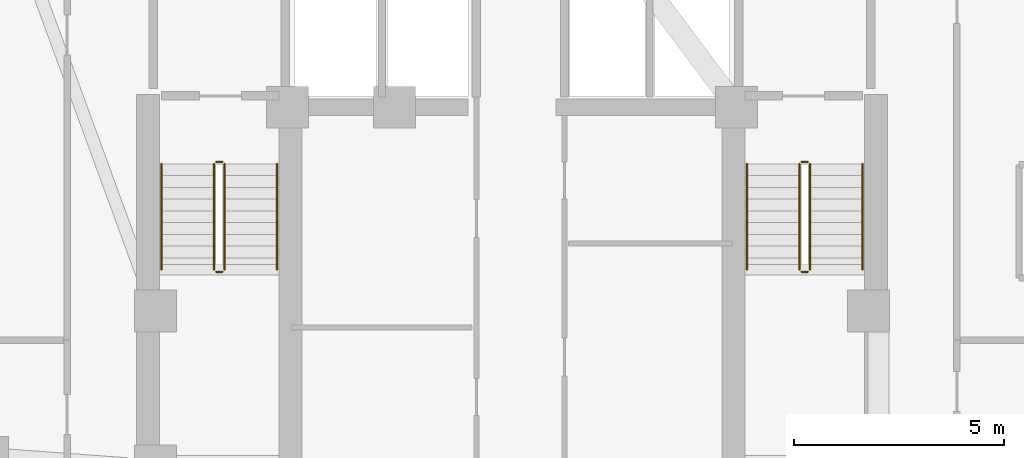
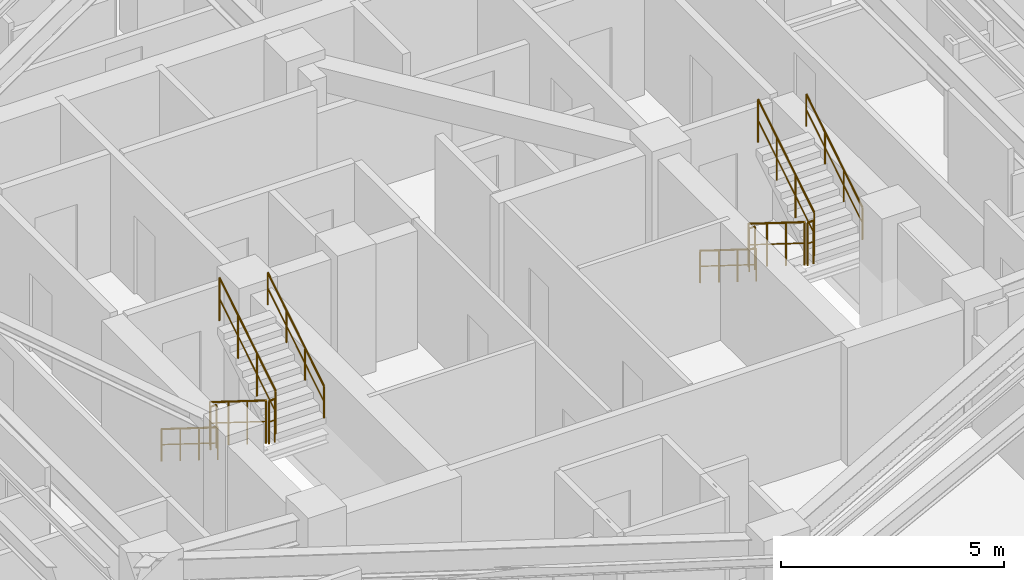
# One storey, part 14 of 14: 12 railings.
"""IFC4 building model written with IfcOpenShell, lengths in metres."""

from ifc_helpers import new_model, si_unit, direction, frame, origin, origin_2d, place, context, subcontext, project, spatial, circle, extrude, material, type_object, element, save


model = new_model("IFC4")

# Units and contexts
model_context = context("Model", 3, precision=1e-05, world=origin(), true_north=direction((0.0, 1.0)))
body_context = subcontext(model_context, "Body", "Model", "MODEL_VIEW")
ifc_project = project(units=[si_unit("LENGTHUNIT", "METRE"), si_unit("AREAUNIT", "SQUARE_METRE"), si_unit("VOLUMEUNIT", "CUBIC_METRE"), si_unit("PLANEANGLEUNIT", "RADIAN"), si_unit("MASSUNIT", "GRAM", prefix="KILO")], contexts=[model_context])

# Site, building, storey
site_placement = place(None, origin())
site = spatial("IfcSite", under=ifc_project, at=site_placement, CompositionType="ELEMENT")
building_placement = place(site_placement, origin())
building = spatial("IfcBuilding", under=site, at=building_placement, Name="Miruveldt Soraemaru", CompositionType="ELEMENT")
storey_placement = place(building_placement, frame((0.0, 0.0, 131.89990234375)))
storey = spatial("IfcBuildingStorey", under=building, at=storey_placement, Name="L36", CompositionType="ELEMENT", Elevation=131.89990234375)

# Railings
ifc_material = material(Name="Steel S355 (355 MPa)", Category="steel")
railing_type_1 = type_object("IfcRailingType", Name="RAIL-HR-900", PredefinedType="HANDRAIL", material=ifc_material)
railing_1_placement = place(storey_placement, frame((35.64990234375, 42.699951171875, 0.175048828125)))
element("IfcRailing", 1, at=railing_1_placement, inside=storey, type_object=railing_type_1, Name="L36 ST-1 stair handrail 1", PredefinedType="HANDRAIL", context=body_context, shape_type="SweptSolid", body=[
    extrude(circle(Radius=0.02392578125, at=origin_2d()), frame((0.0, 0.0, 0.8759765625), z_axis=(0.0, -0.848007534815, 0.529984170421), x_axis=(1.0, 0.0, 0.0)), (0.0, 0.0, 1.0), 2.9716796875),
    extrude(circle(Radius=0.01611328125, at=origin_2d()), frame((0.0, 0.0, 0.449951171875), z_axis=(0.0, -0.848007534815, 0.529984170421), x_axis=(1.0, 0.0, 0.0)), (0.0, 0.0, 1.0), 2.9716796875),
    extrude(circle(Radius=0.02099609375, at=origin_2d()), origin(), (0.0, 0.0, 1.0), 0.851806640625),
    extrude(circle(Radius=0.02099609375, at=origin_2d()), frame((0.0, -0.840087890625, 0.52490234375)), (0.0, 0.0, 1.0), 0.851806640625),
    extrude(circle(Radius=0.02099609375, at=origin_2d()), frame((0.0, -1.679931640625, 1.050048828125)), (0.0, 0.0, 1.0), 0.851806640625),
    extrude(circle(Radius=0.02099609375, at=origin_2d()), frame((0.0, -2.52001953125, 1.574951171875)), (0.0, 0.0, 1.0), 0.851806640625),
])
railing_2_placement = place(storey_placement, frame((38.39990234375, 40.179931640625, 1.925048828125)))
element("IfcRailing", 2, at=railing_2_placement, inside=storey, type_object=railing_type_1, Name="L36 ST-1 stair handrail 2", PredefinedType="HANDRAIL", context=body_context, shape_type="SweptSolid", body=[
    extrude(circle(Radius=0.02392578125, at=origin_2d()), frame((0.0, 0.0, 0.8759765625), z_axis=(0.0, 0.848007534815, 0.529984170421), x_axis=(-1.0, 0.0, 0.0)), (0.0, 0.0, 1.0), 2.9716796875),
    extrude(circle(Radius=0.01611328125, at=origin_2d()), frame((0.0, 0.0, 0.449951171875), z_axis=(0.0, 0.848007534815, 0.529984170421), x_axis=(-1.0, 0.0, 0.0)), (0.0, 0.0, 1.0), 2.9716796875),
    extrude(circle(Radius=0.02099609375, at=origin_2d()), origin(), (0.0, 0.0, 1.0), 0.851806640625),
    extrude(circle(Radius=0.02099609375, at=origin_2d()), frame((0.0, 0.840087890625, 0.52490234375)), (0.0, 0.0, 1.0), 0.851806640625),
    extrude(circle(Radius=0.02099609375, at=origin_2d()), frame((0.0, 1.679931640625, 1.050048828125)), (0.0, 0.0, 1.0), 0.851806640625),
    extrude(circle(Radius=0.02099609375, at=origin_2d()), frame((0.0, 2.52001953125, 1.574951171875)), (0.0, 0.0, 1.0), 0.851806640625),
])
railing_3_placement = place(storey_placement, frame((49.60009765625, 42.699951171875, 0.175048828125)))
element("IfcRailing", 3, at=railing_3_placement, inside=storey, type_object=railing_type_1, Name="L36 ST-2 stair handrail 1", PredefinedType="HANDRAIL", context=body_context, shape_type="SweptSolid", body=[
    extrude(circle(Radius=0.02392578125, at=origin_2d()), frame((0.0, 0.0, 0.8759765625), z_axis=(0.0, -0.848007534815, 0.529984170421), x_axis=(1.0, 0.0, 0.0)), (0.0, 0.0, 1.0), 2.9716796875),
    extrude(circle(Radius=0.01611328125, at=origin_2d()), frame((0.0, 0.0, 0.449951171875), z_axis=(0.0, -0.848007534815, 0.529984170421), x_axis=(1.0, 0.0, 0.0)), (0.0, 0.0, 1.0), 2.9716796875),
    extrude(circle(Radius=0.02099609375, at=origin_2d()), origin(), (0.0, 0.0, 1.0), 0.851806640625),
    extrude(circle(Radius=0.02099609375, at=origin_2d()), frame((0.0, -0.840087890625, 0.52490234375)), (0.0, 0.0, 1.0), 0.851806640625),
    extrude(circle(Radius=0.02099609375, at=origin_2d()), frame((0.0, -1.679931640625, 1.050048828125)), (0.0, 0.0, 1.0), 0.851806640625),
    extrude(circle(Radius=0.02099609375, at=origin_2d()), frame((0.0, -2.52001953125, 1.574951171875)), (0.0, 0.0, 1.0), 0.851806640625),
])
railing_4_placement = place(storey_placement, frame((52.35009765625, 40.179931640625, 1.925048828125)))
element("IfcRailing", 4, at=railing_4_placement, inside=storey, type_object=railing_type_1, Name="L36 ST-2 stair handrail 2", PredefinedType="HANDRAIL", context=body_context, shape_type="SweptSolid", body=[
    extrude(circle(Radius=0.02392578125, at=origin_2d()), frame((0.0, 0.0, 0.8759765625), z_axis=(0.0, 0.848007534815, 0.529984170421), x_axis=(-1.0, 0.0, 0.0)), (0.0, 0.0, 1.0), 2.9716796875),
    extrude(circle(Radius=0.01611328125, at=origin_2d()), frame((0.0, 0.0, 0.449951171875), z_axis=(0.0, 0.848007534815, 0.529984170421), x_axis=(-1.0, 0.0, 0.0)), (0.0, 0.0, 1.0), 2.9716796875),
    extrude(circle(Radius=0.02099609375, at=origin_2d()), origin(), (0.0, 0.0, 1.0), 0.851806640625),
    extrude(circle(Radius=0.02099609375, at=origin_2d()), frame((0.0, 0.840087890625, 0.52490234375)), (0.0, 0.0, 1.0), 0.851806640625),
    extrude(circle(Radius=0.02099609375, at=origin_2d()), frame((0.0, 1.679931640625, 1.050048828125)), (0.0, 0.0, 1.0), 0.851806640625),
    extrude(circle(Radius=0.02099609375, at=origin_2d()), frame((0.0, 2.52001953125, 1.574951171875)), (0.0, 0.0, 1.0), 0.851806640625),
])
railing_type_2 = type_object("IfcRailingType", Name="RAIL-STGUARD-1200", PredefinedType="GUARDRAIL", material=ifc_material)
railing_5_placement = place(storey_placement, frame((36.89990234375, 42.699951171875, 0.175048828125)))
element("IfcRailing", 5, at=railing_5_placement, inside=storey, type_object=railing_type_2, Name="L36 ST-1 stair guard 1", PredefinedType="GUARDRAIL", context=body_context, shape_type="SweptSolid", body=[
    extrude(circle(Radius=0.02392578125, at=origin_2d()), frame((0.0, 0.0, 1.17578125), z_axis=(0.0, -0.848007534815, 0.529984170421), x_axis=(1.0, 0.0, 0.0)), (0.0, 0.0, 1.0), 2.9716796875),
    extrude(circle(Radius=0.01611328125, at=origin_2d()), frame((0.0, 0.0, 0.60009765625), z_axis=(0.0, -0.848007534815, 0.529984170421), x_axis=(1.0, 0.0, 0.0)), (0.0, 0.0, 1.0), 2.9716796875),
    extrude(circle(Radius=0.02099609375, at=origin_2d()), origin(), (0.0, 0.0, 1.0), 1.15185546875),
    extrude(circle(Radius=0.02099609375, at=origin_2d()), frame((0.0, -0.840087890625, 0.52490234375)), (0.0, 0.0, 1.0), 1.15185546875),
    extrude(circle(Radius=0.02099609375, at=origin_2d()), frame((0.0, -1.679931640625, 1.050048828125)), (0.0, 0.0, 1.0), 1.15185546875),
    extrude(circle(Radius=0.02099609375, at=origin_2d()), frame((0.0, -2.52001953125, 1.574951171875)), (0.0, 0.0, 1.0), 1.15185546875),
])
railing_6_placement = place(storey_placement, frame((36.949951171875, 40.1298828125, 1.75)))
element("IfcRailing", 6, at=railing_6_placement, inside=storey, type_object=railing_type_2, Name="L36 ST-1 stair guard 2", PredefinedType="GUARDRAIL", context=body_context, shape_type="SweptSolid", body=[
    extrude(circle(Radius=0.02392578125, at=origin_2d()), frame((0.0, 0.0, 1.17578125), z_axis=(1.0, 0.0, 0.0), x_axis=(0.0, 1.0, 0.0)), (0.0, 0.0, 1.0), 0.150146484375),
    extrude(circle(Radius=0.01611328125, at=origin_2d()), frame((0.0, 0.0, 0.60009765625), z_axis=(1.0, 0.0, 0.0), x_axis=(0.0, 1.0, 0.0)), (0.0, 0.0, 1.0), 0.150146484375),
    extrude(circle(Radius=0.02099609375, at=origin_2d()), origin(), (0.0, 0.0, 1.0), 1.15185546875),
    extrude(circle(Radius=0.02099609375, at=origin_2d()), frame((0.150146484375, 0.0, 0.0)), (0.0, 0.0, 1.0), 1.15185546875),
])
railing_7_placement = place(storey_placement, frame((37.14990234375, 40.179931640625, 1.925048828125)))
element("IfcRailing", 7, at=railing_7_placement, inside=storey, type_object=railing_type_2, Name="L36 ST-1 stair guard 3", PredefinedType="GUARDRAIL", context=body_context, shape_type="SweptSolid", body=[
    extrude(circle(Radius=0.02392578125, at=origin_2d()), frame((0.0, 0.0, 1.17578125), z_axis=(0.0, 0.848007534815, 0.529984170421), x_axis=(-1.0, 0.0, 0.0)), (0.0, 0.0, 1.0), 2.9716796875),
    extrude(circle(Radius=0.01611328125, at=origin_2d()), frame((0.0, 0.0, 0.60009765625), z_axis=(0.0, 0.848007534815, 0.529984170421), x_axis=(-1.0, 0.0, 0.0)), (0.0, 0.0, 1.0), 2.9716796875),
    extrude(circle(Radius=0.02099609375, at=origin_2d()), origin(), (0.0, 0.0, 1.0), 1.15185546875),
    extrude(circle(Radius=0.02099609375, at=origin_2d()), frame((0.0, 0.840087890625, 0.52490234375)), (0.0, 0.0, 1.0), 1.15185546875),
    extrude(circle(Radius=0.02099609375, at=origin_2d()), frame((0.0, 1.679931640625, 1.050048828125)), (0.0, 0.0, 1.0), 1.15185546875),
    extrude(circle(Radius=0.02099609375, at=origin_2d()), frame((0.0, 2.52001953125, 1.574951171875)), (0.0, 0.0, 1.0), 1.15185546875),
])
railing_8_placement = place(storey_placement, frame((36.949951171875, 42.75, 0.0)))
element("IfcRailing", 8, at=railing_8_placement, inside=storey, type_object=railing_type_2, Name="L36 ST-1 stair guard 4", PredefinedType="GUARDRAIL", context=body_context, shape_type="SweptSolid", body=[
    extrude(circle(Radius=0.02392578125, at=origin_2d()), frame((0.0, 0.0, 1.17578125), z_axis=(1.0, 0.0, 0.0), x_axis=(0.0, 1.0, 0.0)), (0.0, 0.0, 1.0), 0.150146484375),
    extrude(circle(Radius=0.01611328125, at=origin_2d()), frame((0.0, 0.0, 0.60009765625), z_axis=(1.0, 0.0, 0.0), x_axis=(0.0, 1.0, 0.0)), (0.0, 0.0, 1.0), 0.150146484375),
    extrude(circle(Radius=0.02099609375, at=origin_2d()), origin(), (0.0, 0.0, 1.0), 1.15185546875),
    extrude(circle(Radius=0.02099609375, at=origin_2d()), frame((0.150146484375, 0.0, 0.0)), (0.0, 0.0, 1.0), 1.15185546875),
])
railing_9_placement = place(storey_placement, frame((50.85009765625, 42.699951171875, 0.175048828125)))
element("IfcRailing", 9, at=railing_9_placement, inside=storey, type_object=railing_type_2, Name="L36 ST-2 stair guard 1", PredefinedType="GUARDRAIL", context=body_context, shape_type="SweptSolid", body=[
    extrude(circle(Radius=0.02392578125, at=origin_2d()), frame((0.0, 0.0, 1.17578125), z_axis=(0.0, -0.848007534815, 0.529984170421), x_axis=(1.0, 0.0, 0.0)), (0.0, 0.0, 1.0), 2.9716796875),
    extrude(circle(Radius=0.01611328125, at=origin_2d()), frame((0.0, 0.0, 0.60009765625), z_axis=(0.0, -0.848007534815, 0.529984170421), x_axis=(1.0, 0.0, 0.0)), (0.0, 0.0, 1.0), 2.9716796875),
    extrude(circle(Radius=0.02099609375, at=origin_2d()), origin(), (0.0, 0.0, 1.0), 1.15185546875),
    extrude(circle(Radius=0.02099609375, at=origin_2d()), frame((0.0, -0.840087890625, 0.52490234375)), (0.0, 0.0, 1.0), 1.15185546875),
    extrude(circle(Radius=0.02099609375, at=origin_2d()), frame((0.0, -1.679931640625, 1.050048828125)), (0.0, 0.0, 1.0), 1.15185546875),
    extrude(circle(Radius=0.02099609375, at=origin_2d()), frame((0.0, -2.52001953125, 1.574951171875)), (0.0, 0.0, 1.0), 1.15185546875),
])
railing_10_placement = place(storey_placement, frame((50.89990234375, 40.1298828125, 1.75)))
element("IfcRailing", 10, at=railing_10_placement, inside=storey, type_object=railing_type_2, Name="L36 ST-2 stair guard 2", PredefinedType="GUARDRAIL", context=body_context, shape_type="SweptSolid", body=[
    extrude(circle(Radius=0.02392578125, at=origin_2d()), frame((0.0, 0.0, 1.17578125), z_axis=(1.0, 0.0, 0.0), x_axis=(0.0, 1.0, 0.0)), (0.0, 0.0, 1.0), 0.150146484375),
    extrude(circle(Radius=0.01611328125, at=origin_2d()), frame((0.0, 0.0, 0.60009765625), z_axis=(1.0, 0.0, 0.0), x_axis=(0.0, 1.0, 0.0)), (0.0, 0.0, 1.0), 0.150146484375),
    extrude(circle(Radius=0.02099609375, at=origin_2d()), origin(), (0.0, 0.0, 1.0), 1.15185546875),
    extrude(circle(Radius=0.02099609375, at=origin_2d()), frame((0.150146484375, 0.0, 0.0)), (0.0, 0.0, 1.0), 1.15185546875),
])
railing_11_placement = place(storey_placement, frame((51.10009765625, 40.179931640625, 1.925048828125)))
element("IfcRailing", 11, at=railing_11_placement, inside=storey, type_object=railing_type_2, Name="L36 ST-2 stair guard 3", PredefinedType="GUARDRAIL", context=body_context, shape_type="SweptSolid", body=[
    extrude(circle(Radius=0.02392578125, at=origin_2d()), frame((0.0, 0.0, 1.17578125), z_axis=(0.0, 0.848007534815, 0.529984170421), x_axis=(-1.0, 0.0, 0.0)), (0.0, 0.0, 1.0), 2.9716796875),
    extrude(circle(Radius=0.01611328125, at=origin_2d()), frame((0.0, 0.0, 0.60009765625), z_axis=(0.0, 0.848007534815, 0.529984170421), x_axis=(-1.0, 0.0, 0.0)), (0.0, 0.0, 1.0), 2.9716796875),
    extrude(circle(Radius=0.02099609375, at=origin_2d()), origin(), (0.0, 0.0, 1.0), 1.15185546875),
    extrude(circle(Radius=0.02099609375, at=origin_2d()), frame((0.0, 0.840087890625, 0.52490234375)), (0.0, 0.0, 1.0), 1.15185546875),
    extrude(circle(Radius=0.02099609375, at=origin_2d()), frame((0.0, 1.679931640625, 1.050048828125)), (0.0, 0.0, 1.0), 1.15185546875),
    extrude(circle(Radius=0.02099609375, at=origin_2d()), frame((0.0, 2.52001953125, 1.574951171875)), (0.0, 0.0, 1.0), 1.15185546875),
])
railing_12_placement = place(storey_placement, frame((50.89990234375, 42.75, 0.0)))
element("IfcRailing", 12, at=railing_12_placement, inside=storey, type_object=railing_type_2, Name="L36 ST-2 stair guard 4", PredefinedType="GUARDRAIL", context=body_context, shape_type="SweptSolid", body=[
    extrude(circle(Radius=0.02392578125, at=origin_2d()), frame((0.0, 0.0, 1.17578125), z_axis=(1.0, 0.0, 0.0), x_axis=(0.0, 1.0, 0.0)), (0.0, 0.0, 1.0), 0.150146484375),
    extrude(circle(Radius=0.01611328125, at=origin_2d()), frame((0.0, 0.0, 0.60009765625), z_axis=(1.0, 0.0, 0.0), x_axis=(0.0, 1.0, 0.0)), (0.0, 0.0, 1.0), 0.150146484375),
    extrude(circle(Radius=0.02099609375, at=origin_2d()), origin(), (0.0, 0.0, 1.0), 1.15185546875),
    extrude(circle(Radius=0.02099609375, at=origin_2d()), frame((0.150146484375, 0.0, 0.0)), (0.0, 0.0, 1.0), 1.15185546875),
])

save(model, "model.ifc")
